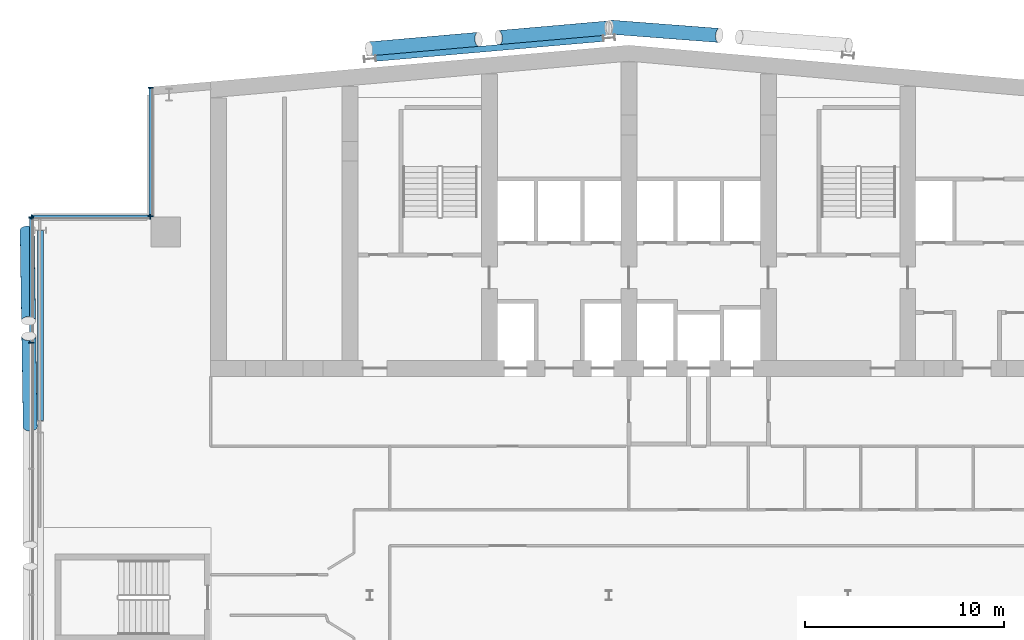
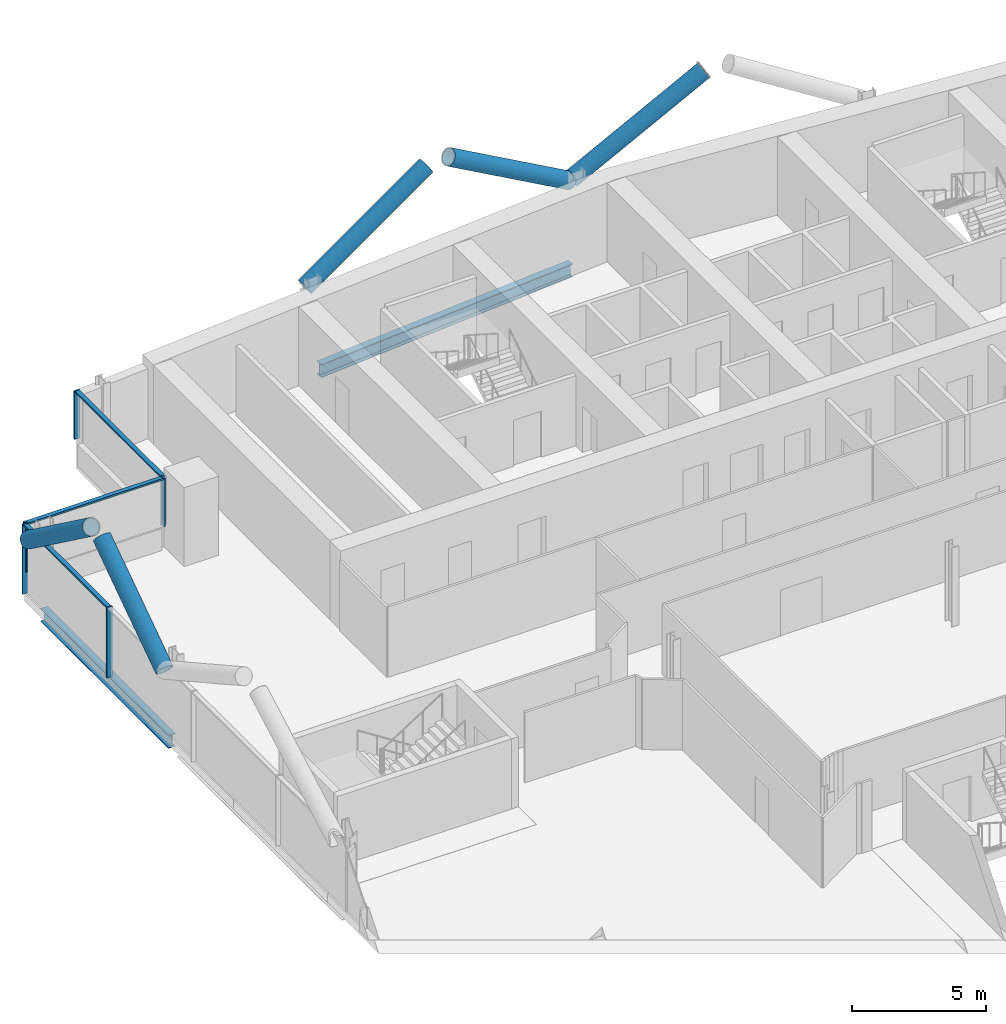
# One storey, part 9 of 29: 14 members, 2 beams, 3 elements without a shape of their own.
"""IFC4 building model written with IfcOpenShell, lengths in metres."""

from ifc_helpers import new_model, si_unit, direction, frame, origin, origin_2d, place, context, subcontext, project, spatial, rectangle, hollow_circle, i_section, extrude, material, material_profile, profile_set, type_object, element, aggregate, save


model = new_model("IFC4")

# Units and contexts
model_context = context("Model", 3, precision=1e-05, world=origin(), true_north=direction((0.0, 1.0)))
body_context = subcontext(model_context, "Body", "Model", "MODEL_VIEW")
ifc_project = project(units=[si_unit("LENGTHUNIT", "METRE"), si_unit("AREAUNIT", "SQUARE_METRE"), si_unit("VOLUMEUNIT", "CUBIC_METRE"), si_unit("PLANEANGLEUNIT", "RADIAN"), si_unit("MASSUNIT", "GRAM", prefix="KILO")], contexts=[model_context])

# Site, building, storey
site_placement = place(None, origin())
site = spatial("IfcSite", under=ifc_project, at=site_placement, CompositionType="ELEMENT")
building_placement = place(site_placement, origin())
building = spatial("IfcBuilding", under=site, at=building_placement, Name="Wharfspan Tower", CompositionType="ELEMENT")
storey_placement = place(building_placement, frame((0.0, 0.0, 155.5)))
storey = spatial("IfcBuildingStorey", under=building, at=storey_placement, Name="L37", CompositionType="ELEMENT", Elevation=155.5)

# Beams
ifc_material_1 = material(Name="Steel S355J2", Category="steel")
ifc_material_profile_1 = material_profile(ifc_material_1, i_section(OverallWidth=0.300049, OverallDepth=0.600098, WebThickness=0.015381, FlangeThickness=0.030029, FilletRadius=0.0271, at=origin_2d()))
ifc_profile_set_1 = profile_set([ifc_material_profile_1], Name="Steel S355J2")
beam_type = type_object("IfcBeamType", Name="Edge beam HEB 600", PredefinedType="SPANDREL", material=ifc_profile_set_1)
beam_1_placement = place(storey_placement, frame((35.705078, 50.961426, -0.699951), z_axis=(-0.996194, -0.087158, 0.0), x_axis=(0.087158, -0.996194, 0.0)))
element("IfcBeam", 1, at=beam_1_placement, inside=storey, type_object=beam_type, Name="Edge beam N1 L37 R.2 to R.1", PredefinedType="SPANDREL", context=body_context, shape_type="SweptSolid", body=[
    extrude(i_section(OverallWidth=0.300049, OverallDepth=0.600098, WebThickness=0.015381, FlangeThickness=0.030029, FilletRadius=0.0271, at=origin_2d()), origin(), (0.0, 0.0, 1.0), 11.453857),
])
beam_2_placement = place(storey_placement, frame((7.450439, 41.32666, -0.699951), z_axis=(-5.1e-05, -1.0, 0.0), x_axis=(1.0, -5.1e-05, 0.0)))
element("IfcBeam", 2, at=beam_2_placement, inside=storey, type_object=beam_type, Name="Edge beam W L37 PNRW-H.1 to PW.1", PredefinedType="SPANDREL", context=body_context, shape_type="SweptSolid", body=[
    extrude(i_section(OverallWidth=0.300049, OverallDepth=0.600098, WebThickness=0.015381, FlangeThickness=0.030029, FilletRadius=0.0271, at=origin_2d()), origin(), (0.0, 0.0, 1.0), 9.553955),
])

# Curtain wall, members
ifc_material_2 = material(Name="Aluminium 6063-T6", Category="aluminium")
curtain_wall_type = type_object("IfcCurtainWallType", Name="CURTAIN WALL PROW AND END", PredefinedType="NOTDEFINED", material=ifc_material_2)
curtain_wall_1_placement = place(storey_placement, origin())
curtain_wall_1 = element("IfcCurtainWall", 3, at=curtain_wall_1_placement, inside=storey, type_object=curtain_wall_type, Name="Curtain wall NRW-V", PredefinedType="NOTDEFINED")
ifc_material_profile_2 = material_profile(ifc_material_2, rectangle(XDim=0.23999, YDim=0.060059, at=origin_2d()))
ifc_profile_set_2 = profile_set([ifc_material_profile_2], Name="Aluminium 6063-T6")
member_type_1 = type_object("IfcMemberType", Name="MULLION PROW AND END 60x240", PredefinedType="MULLION", material=ifc_profile_set_2)
member_1_placement = place(storey_placement, frame((13.0, 48.494873, 1.0), z_axis=(0.0, 0.0, 1.0), x_axis=(1.0, 0.0, 0.0)))
member_1 = element("IfcMember", 4, at=member_1_placement, type_object=member_type_1, Name="Curtain wall NRW-V mullion 1", PredefinedType="MULLION", context=body_context, shape_type="SweptSolid", body=[
    extrude(rectangle(XDim=0.23999, YDim=0.060059, at=origin_2d()), origin(), (0.0, 0.0, 1.0), 2.199951),
])
member_2_placement = place(storey_placement, frame((13.0, 42.030029, 1.0), z_axis=(0.0, 0.0, 1.0), x_axis=(1.0, 0.0, 0.0)))
member_2 = element("IfcMember", 5, at=member_2_placement, type_object=member_type_1, Name="Curtain wall NRW-V mullion 2", PredefinedType="MULLION", context=body_context, shape_type="SweptSolid", body=[
    extrude(rectangle(XDim=0.23999, YDim=0.060059, at=origin_2d()), origin(), (0.0, 0.0, 1.0), 2.199951),
])

curtain_wall_2_placement = place(storey_placement, origin())
curtain_wall_2 = element("IfcCurtainWall", 6, at=curtain_wall_2_placement, inside=storey, type_object=curtain_wall_type, Name="Curtain wall NRW-H", PredefinedType="NOTDEFINED")
member_3_placement = place(storey_placement, frame((12.969971, 42.0, 1.0), z_axis=(0.0, 0.0, 1.0), x_axis=(0.0, -1.0, 0.0)))
member_3 = element("IfcMember", 7, at=member_3_placement, type_object=member_type_1, Name="Curtain wall NRW-H mullion 1", PredefinedType="MULLION", context=body_context, shape_type="SweptSolid", body=[
    extrude(rectangle(XDim=0.23999, YDim=0.060059, at=origin_2d()), origin(), (0.0, 0.0, 1.0), 2.199951),
])
member_4_placement = place(storey_placement, frame((7.030029, 42.0, 1.0), z_axis=(0.0, 0.0, 1.0), x_axis=(0.0, -1.0, 0.0)))
member_4 = element("IfcMember", 8, at=member_4_placement, type_object=member_type_1, Name="Curtain wall NRW-H mullion 2", PredefinedType="MULLION", context=body_context, shape_type="SweptSolid", body=[
    extrude(rectangle(XDim=0.23999, YDim=0.060059, at=origin_2d()), origin(), (0.0, 0.0, 1.0), 2.199951),
])

curtain_wall_3_placement = place(storey_placement, origin())
curtain_wall_3 = element("IfcCurtainWall", 9, at=curtain_wall_3_placement, inside=storey, type_object=curtain_wall_type, Name="Curtain wall W", PredefinedType="NOTDEFINED")
member_5_placement = place(storey_placement, frame((7.0, 41.969971, 0.0), z_axis=(0.0, 0.0, 1.0), x_axis=(1.0, 0.0, 0.0)))
member_5 = element("IfcMember", 10, at=member_5_placement, type_object=member_type_1, Name="Curtain wall W mullion 1", PredefinedType="MULLION", context=body_context, shape_type="SweptSolid", body=[
    extrude(rectangle(XDim=0.23999, YDim=0.060059, at=origin_2d()), origin(), (0.0, 0.0, 1.0), 3.199951),
])
member_6_placement = place(storey_placement, frame((7.0, 35.679932, 0.0), z_axis=(0.0, 0.0, 1.0), x_axis=(1.0, 0.0, 0.0)))
member_6 = element("IfcMember", 11, at=member_6_placement, type_object=member_type_1, Name="Curtain wall W mullion 2", PredefinedType="MULLION", context=body_context, shape_type="SweptSolid", body=[
    extrude(rectangle(XDim=0.23999, YDim=0.060059, at=origin_2d()), origin(), (0.0, 0.0, 1.0), 3.199951),
])

# Members
ifc_material_3 = material(Name="Steel S460NH", Category="steel")
ifc_material_profile_3 = material_profile(ifc_material_3, hollow_circle(Radius=0.355469, WallThickness=0.035889, at=origin_2d()))
ifc_profile_set_3 = profile_set([ifc_material_profile_3], Name="Steel S460NH")
member_type_2 = type_object("IfcMemberType", Name="Mega brace CHS 711x36", PredefinedType="BRACE", material=ifc_profile_set_3)
for number, where, z_axis, x_axis, name in (
    (12, (6.788086, 41.333008, 2.899902), (0.01285, -0.807696, 0.589459), (0.999875, 0.015906, -2e-06), "Mega brace W4 L38 part 1"),
    (13, (6.945068, 31.466553, 2.899902), (-0.01285, 0.807711, 0.589439), (-0.999876, -0.015905, -3e-06), "Mega brace W4 L38 part 3"),
):
    element("IfcMember", number, at=place(storey_placement, frame(where, z_axis=z_axis, x_axis=x_axis)), inside=storey, type_object=member_type_2, Name=name, PredefinedType="BRACE", context=body_context, shape_type="SweptSolid", body=[
        extrude(hollow_circle(Radius=0.355469, WallThickness=0.035889, at=origin_2d()), origin(), (0.0, 0.0, 1.0), 5.623779),
    ])
member_7_placement = place(storey_placement, frame((23.956299, 50.437988, 2.899902), z_axis=(0.855083, 0.074809, 0.513065), x_axis=(-0.087154, 0.996196, -1e-06)))
element("IfcMember", 14, at=member_7_placement, inside=storey, type_object=member_type_2, Name="Mega brace N7 L38 part 1", PredefinedType="BRACE", context=body_context, shape_type="SweptSolid", body=[
    extrude(hollow_circle(Radius=0.355469, WallThickness=0.035889, at=origin_2d()), origin(), (0.0, 0.0, 1.0), 6.425781),
])
member_8_placement = place(storey_placement, frame((35.956299, 51.487793, 2.899902), z_axis=(-0.855094, -0.074807, 0.513049), x_axis=(0.087152, -0.996192, 2e-06)))
element("IfcMember", 15, at=member_8_placement, inside=storey, type_object=member_type_2, Name="Mega brace N7 L38 part 3", PredefinedType="BRACE", context=body_context, shape_type="SweptSolid", body=[
    extrude(hollow_circle(Radius=0.355469, WallThickness=0.035889, at=origin_2d()), origin(), (0.0, 0.0, 1.0), 6.426025),
])
member_9_placement = place(storey_placement, frame((36.039795, 51.53418, 2.899902), z_axis=(0.855596, -0.065362, 0.513502), x_axis=(0.076171, 0.997095, 1e-06)))
element("IfcMember", 16, at=member_9_placement, inside=storey, type_object=member_type_2, Name="Mega brace N8 L38 part 1", PredefinedType="BRACE", context=body_context, shape_type="SweptSolid", body=[
    extrude(hollow_circle(Radius=0.355469, WallThickness=0.035889, at=origin_2d()), origin(), (0.0, 0.0, 1.0), 6.420898),
])

# Member
ifc_material_profile_4 = material_profile(ifc_material_2, rectangle(XDim=0.179932, YDim=0.080078, at=origin_2d()))
ifc_profile_set_4 = profile_set([ifc_material_profile_4], Name="Aluminium 6063-T6")
member_type_3 = type_object("IfcMemberType", Name="TRANSOM PROW AND END 80x180", PredefinedType="USERDEFINED", material=ifc_profile_set_4)
member_10_placement = place(storey_placement, frame((13.0, 48.464844, 3.159912), z_axis=(0.0, -1.0, 0.0), x_axis=(1.0, 0.0, 0.0)))
member_10 = element("IfcMember", 17, at=member_10_placement, type_object=member_type_3, Name="Curtain wall NRW-V transom 1", ObjectType="TRANSOM", PredefinedType="USERDEFINED", context=body_context, shape_type="SweptSolid", body=[
    extrude(rectangle(XDim=0.179932, YDim=0.080078, at=origin_2d()), origin(), (0.0, 0.0, 1.0), 6.404785),
])

aggregate(curtain_wall_1, [member_1, member_2, member_10])

member_11_placement = place(storey_placement, frame((12.939941, 42.0, 3.159912), z_axis=(-1.0, 0.0, 0.0), x_axis=(0.0, -1.0, 0.0)))
member_11 = element("IfcMember", 18, at=member_11_placement, type_object=member_type_3, Name="Curtain wall NRW-H transom 1", ObjectType="TRANSOM", PredefinedType="USERDEFINED", context=body_context, shape_type="SweptSolid", body=[
    extrude(rectangle(XDim=0.179932, YDim=0.080078, at=origin_2d()), origin(), (0.0, 0.0, 1.0), 5.879883),
])

aggregate(curtain_wall_2, [member_3, member_4, member_11])

member_12_placement = place(storey_placement, frame((7.0, 41.939941, 3.159912), z_axis=(0.0, -1.0, 0.0), x_axis=(1.0, 0.0, 0.0)))
member_12 = element("IfcMember", 19, at=member_12_placement, type_object=member_type_3, Name="Curtain wall W transom 1", ObjectType="TRANSOM", PredefinedType="USERDEFINED", context=body_context, shape_type="SweptSolid", body=[
    extrude(rectangle(XDim=0.179932, YDim=0.080078, at=origin_2d()), origin(), (0.0, 0.0, 1.0), 6.22998),
])

aggregate(curtain_wall_3, [member_5, member_6, member_12])

save(model, "model.ifc")
